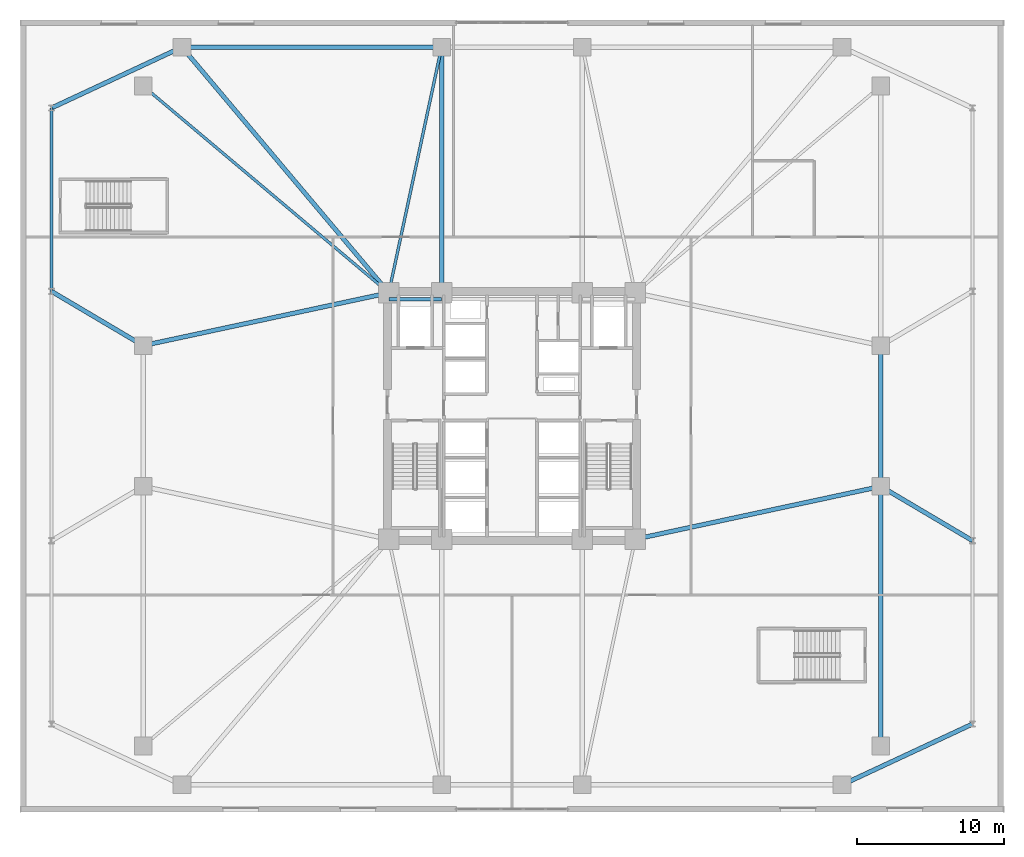
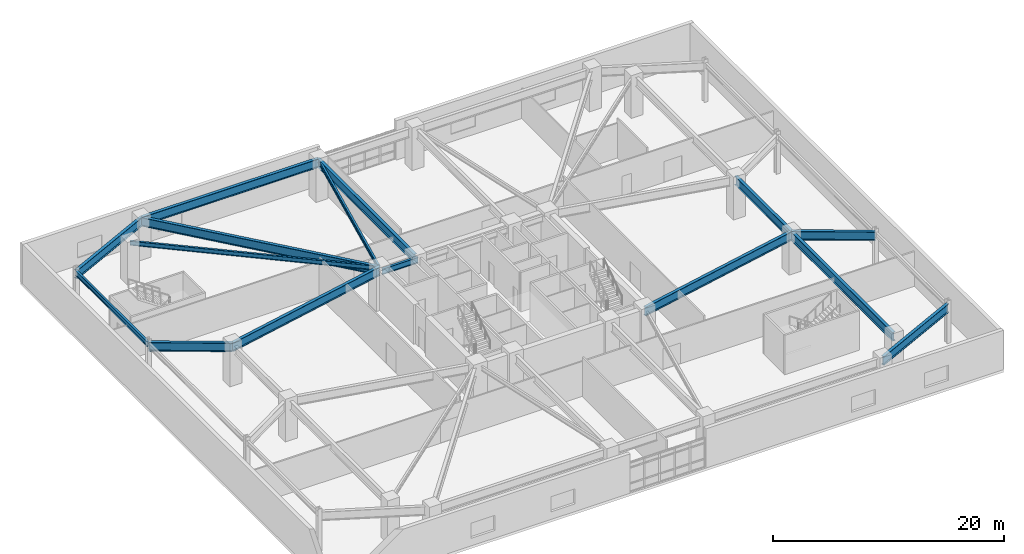
# One storey, part 6 of 21: 15 beams.
"""IFC4 building model written with IfcOpenShell, lengths in metres."""

from ifc_helpers import new_model, si_unit, direction, frame, origin, origin_2d, place, context, subcontext, project, spatial, i_section, extrude, material, material_profile, profile_set, type_object, element, save


model = new_model("IFC4")

# Units and contexts
model_context = context("Model", 3, precision=1e-05, world=origin(), true_north=direction((0.0, 1.0)))
body_context = subcontext(model_context, "Body", "Model", "MODEL_VIEW")
ifc_project = project(units=[si_unit("LENGTHUNIT", "METRE"), si_unit("AREAUNIT", "SQUARE_METRE"), si_unit("VOLUMEUNIT", "CUBIC_METRE"), si_unit("PLANEANGLEUNIT", "RADIAN"), si_unit("MASSUNIT", "GRAM", prefix="KILO")], contexts=[model_context])

# Site, building, storey
site_placement = place(None, origin())
site = spatial("IfcSite", under=ifc_project, at=site_placement, CompositionType="ELEMENT")
building_placement = place(site_placement, origin())
building = spatial("IfcBuilding", under=site, at=building_placement, Name="Cairnveth Concourse Tower", CompositionType="ELEMENT")
storey_placement = place(building_placement, frame((0.0, 0.0, 14.5)))
storey = spatial("IfcBuildingStorey", under=building, at=storey_placement, Name="L03", CompositionType="ELEMENT", Elevation=14.5)

# Beams
ifc_material = material(Name="Steel Grade 350", Category="steel")
ifc_material_profile_1 = material_profile(ifc_material, i_section(OverallWidth=0.22802734375, OverallDepth=0.60693359375, WebThickness=0.01123046875, FlangeThickness=0.017333984375, FilletRadius=0.013916015625, at=origin_2d()), Name="610UB113")
ifc_profile_set_1 = profile_set([ifc_material_profile_1], Name="Steel Grade 350")
beam_type_1 = type_object("IfcBeamType", Name="CORE TIE BEAM 610UB113", PredefinedType="T_BEAM", material=ifc_profile_set_1)
beam_1_placement = place(storey_placement, frame((43.60009765625, 46.949951171875, 3.846435546875), z_axis=(1.0, 0.0, 0.0), x_axis=(0.0, 1.0, 0.0)))
element("IfcBeam", 1, at=beam_1_placement, inside=storey, type_object=beam_type_1, Name="Beam CT-N1 L03", PredefinedType="T_BEAM", context=body_context, shape_type="SweptSolid", body=[
    extrude(i_section(OverallWidth=0.22802734375, OverallDepth=0.60693359375, WebThickness=0.01123046875, FlangeThickness=0.017333984375, FilletRadius=0.013916015625, at=origin_2d()), origin(), (0.0, 0.0, 1.0), 3.599853515625),
])
ifc_material_profile_2 = material_profile(ifc_material, i_section(OverallWidth=0.208984375, OverallDepth=0.532958984375, WebThickness=0.01025390625, FlangeThickness=0.015625, FilletRadius=0.013916015625, at=origin_2d()), Name="530UB92.4")
ifc_profile_set_2 = profile_set([ifc_material_profile_2], Name="Steel Grade 350")
beam_type_2 = type_object("IfcBeamType", Name="PODIUM EDGE SPANDREL 530UB92.4", PredefinedType="SPANDREL", material=ifc_profile_set_2)
beam_2_placement = place(storey_placement, frame((20.60009765625, 47.5, 3.883544921875), z_axis=(0.0, 1.0, 0.0), x_axis=(-1.0, 0.0, 0.0)))
element("IfcBeam", 2, at=beam_2_placement, inside=storey, type_object=beam_type_2, Name="Beam PSP-W3 L03", PredefinedType="SPANDREL", context=body_context, shape_type="SweptSolid", body=[
    extrude(i_section(OverallWidth=0.208984375, OverallDepth=0.532958984375, WebThickness=0.01025390625, FlangeThickness=0.015625, FilletRadius=0.013916015625, at=origin_2d()), origin(), (0.0, 0.0, 1.0), 12.5),
])
ifc_material_profile_3 = material_profile(ifc_material, i_section(OverallWidth=0.18994140625, OverallDepth=0.45703125, WebThickness=0.009033203125, FlangeThickness=0.014404296875, FilletRadius=0.010986328125, at=origin_2d()), Name="460UB74.6")
ifc_profile_set_3 = profile_set([ifc_material_profile_3], Name="Steel Grade 350")
beam_type_3 = type_object("IfcBeamType", Name="PODIUM FLOOR JOIST 460UB74.6", PredefinedType="JOIST", material=ifc_profile_set_3)
beam_3_placement = place(storey_placement, frame((26.85009765625, 61.5, 3.92138671875), z_axis=(0.765027427674, -0.643997697905, 0.0), x_axis=(0.643997697905, 0.765027427674, 0.0)))
element("IfcBeam", 3, at=beam_3_placement, inside=storey, type_object=beam_type_3, Name="Beam PJ-NW1 L03", PredefinedType="JOIST", context=body_context, shape_type="SweptSolid", body=[
    extrude(i_section(OverallWidth=0.18994140625, OverallDepth=0.45703125, WebThickness=0.009033203125, FlangeThickness=0.014404296875, FilletRadius=0.010986328125, at=origin_2d()), origin(), (0.0, 0.0, 1.0), 21.89453125),
])
beam_4_placement = place(storey_placement, frame((43.60009765625, 47.39990234375, 3.92138671875), z_axis=(0.210118799239, 0.977675861524, 0.0), x_axis=(-0.977675861524, 0.210118799239, 0.0)))
element("IfcBeam", 4, at=beam_4_placement, inside=storey, type_object=beam_type_3, Name="Beam PJ-N-X L03", PredefinedType="JOIST", context=body_context, shape_type="SweptSolid", body=[
    extrude(i_section(OverallWidth=0.18994140625, OverallDepth=0.45703125, WebThickness=0.009033203125, FlangeThickness=0.014404296875, FilletRadius=0.010986328125, at=origin_2d()), origin(), (0.0, 0.0, 1.0), 17.132568359375),
])
ifc_material_profile_4 = material_profile(ifc_material, i_section(OverallWidth=0.300048828125, OverallDepth=0.924072265625, WebThickness=0.013916015625, FlangeThickness=0.031982421875, at=origin_2d()), Name="900WB257")
ifc_profile_set_4 = profile_set([ifc_material_profile_4], Name="Steel Grade 350")
beam_type_4 = type_object("IfcBeamType", Name="PODIUM PRIMARY GIRDER 900WB257", PredefinedType="BEAM", material=ifc_profile_set_4)
for number, where, z_axis, x_axis, name in (
    (5, (74.5, 13.85009765625, 3.68798828125), (0.906315208572, 0.422602345842, 0.0), (-0.422602345842, 0.906315208572, 0.0), "Beam PG-E-S L03"),
    (6, (20.60009765625, 60.0, 3.68798828125), (0.906315208572, 0.422602345842, 0.0), (-0.422602345842, 0.906315208572, 0.0), "Beam PG-W-N L03"),
):
    element("IfcBeam", number, at=place(storey_placement, frame(where, z_axis=z_axis, x_axis=x_axis)), inside=storey, type_object=beam_type_4, Name=name, PredefinedType="BEAM", context=body_context, shape_type="SweptSolid", body=[
        extrude(i_section(OverallWidth=0.300048828125, OverallDepth=0.924072265625, WebThickness=0.013916015625, FlangeThickness=0.031982421875, at=origin_2d()), origin(), (0.0, 0.0, 1.0), 9.81982421875),
    ])
beam_5_placement = place(storey_placement, frame((20.60009765625, 47.5, 3.68798828125), z_axis=(0.860518044459, -0.509419959523, 0.0), x_axis=(0.509419959523, 0.860518044459, 0.0)))
element("IfcBeam", 7, at=beam_5_placement, inside=storey, type_object=beam_type_4, Name="Beam PG-W2 L03", PredefinedType="BEAM", context=body_context, shape_type="SweptSolid", body=[
    extrude(i_section(OverallWidth=0.300048828125, OverallDepth=0.924072265625, WebThickness=0.013916015625, FlangeThickness=0.031982421875, at=origin_2d()), origin(), (0.0, 0.0, 1.0), 7.26318359375),
])
for number, where, z_axis, x_axis, name in (
    (8, (26.85009765625, 43.800048828125, 3.68798828125), (0.977675861524, 0.210118799239, 0.0), (-0.210118799239, 0.977675861524, 0.0), "Beam PG-W2B L03"),
    (9, (60.39990234375, 30.60009765625, 3.68798828125), (0.977675861524, 0.210118799239, 0.0), (-0.210118799239, 0.977675861524, 0.0), "Beam PG-E1 L03"),
):
    element("IfcBeam", number, at=place(storey_placement, frame(where, z_axis=z_axis, x_axis=x_axis)), inside=storey, type_object=beam_type_4, Name=name, PredefinedType="BEAM", context=body_context, shape_type="SweptSolid", body=[
        extrude(i_section(OverallWidth=0.300048828125, OverallDepth=0.924072265625, WebThickness=0.013916015625, FlangeThickness=0.031982421875, at=origin_2d()), origin(), (0.0, 0.0, 1.0), 17.132568359375),
    ])
beam_6_placement = place(storey_placement, frame((77.14990234375, 34.199951171875, 3.68798828125), z_axis=(0.860518044459, -0.509419959523, 0.0), x_axis=(0.509419959523, 0.860518044459, 0.0)))
element("IfcBeam", 10, at=beam_6_placement, inside=storey, type_object=beam_type_4, Name="Beam PG-E1B L03", PredefinedType="BEAM", context=body_context, shape_type="SweptSolid", body=[
    extrude(i_section(OverallWidth=0.300048828125, OverallDepth=0.924072265625, WebThickness=0.013916015625, FlangeThickness=0.031982421875, at=origin_2d()), origin(), (0.0, 0.0, 1.0), 7.26318359375),
])
beam_7_placement = place(storey_placement, frame((47.199951171875, 47.39990234375, 3.68798828125), z_axis=(0.0, 1.0, 0.0), x_axis=(-1.0, 0.0, 0.0)))
element("IfcBeam", 11, at=beam_7_placement, inside=storey, type_object=beam_type_4, Name="Beam PG-N1 L03", PredefinedType="BEAM", context=body_context, shape_type="SweptSolid", body=[
    extrude(i_section(OverallWidth=0.300048828125, OverallDepth=0.924072265625, WebThickness=0.013916015625, FlangeThickness=0.031982421875, at=origin_2d()), origin(), (0.0, 0.0, 1.0), 16.75),
])
beam_8_placement = place(storey_placement, frame((29.5, 64.14990234375, 3.68798828125), z_axis=(0.643997697905, -0.765027427674, 0.0), x_axis=(0.765027427674, 0.643997697905, 0.0)))
element("IfcBeam", 12, at=beam_8_placement, inside=storey, type_object=beam_type_4, Name="Beam PG-CNW L03", PredefinedType="BEAM", context=body_context, shape_type="SweptSolid", body=[
    extrude(i_section(OverallWidth=0.300048828125, OverallDepth=0.924072265625, WebThickness=0.013916015625, FlangeThickness=0.031982421875, at=origin_2d()), origin(), (0.0, 0.0, 1.0), 21.89453125),
])
for number, where, z_axis, x_axis, name in (
    (13, (29.5, 64.14990234375, 3.68798828125), (1.0, 0.0, 0.0), (0.0, 1.0, 0.0), "Beam PR-N1 L03"),
    (14, (77.14990234375, 16.5, 3.68798828125), (0.0, 1.0, 0.0), (-1.0, 0.0, 0.0), "Beam PR-E1 L03"),
):
    element("IfcBeam", number, at=place(storey_placement, frame(where, z_axis=z_axis, x_axis=x_axis)), inside=storey, type_object=beam_type_4, Name=name, PredefinedType="BEAM", context=body_context, shape_type="SweptSolid", body=[
        extrude(i_section(OverallWidth=0.300048828125, OverallDepth=0.924072265625, WebThickness=0.013916015625, FlangeThickness=0.031982421875, at=origin_2d()), origin(), (0.0, 0.0, 1.0), 17.699951171875),
    ])
beam_9_placement = place(storey_placement, frame((77.14990234375, 34.199951171875, 3.68798828125), z_axis=(0.0, 1.0, 0.0), x_axis=(-1.0, 0.0, 0.0)))
element("IfcBeam", 15, at=beam_9_placement, inside=storey, type_object=beam_type_4, Name="Beam PR-E2 L03", PredefinedType="BEAM", context=body_context, shape_type="SweptSolid", body=[
    extrude(i_section(OverallWidth=0.300048828125, OverallDepth=0.924072265625, WebThickness=0.013916015625, FlangeThickness=0.031982421875, at=origin_2d()), origin(), (0.0, 0.0, 1.0), 9.60009765625),
])

save(model, "model.ifc")
